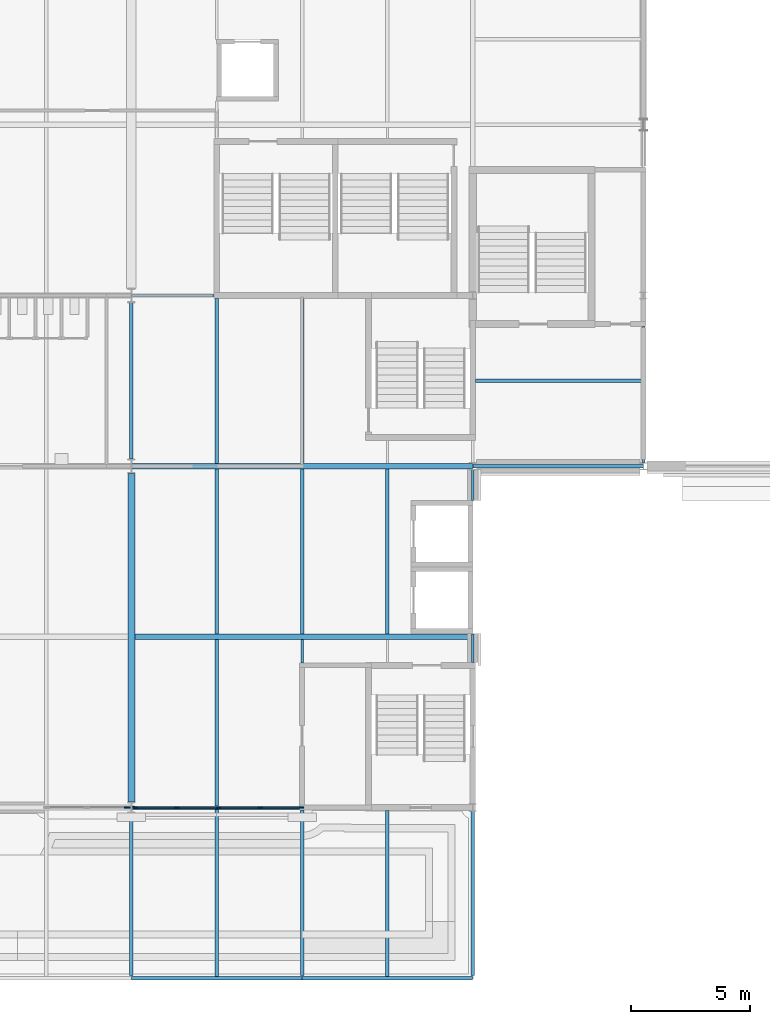
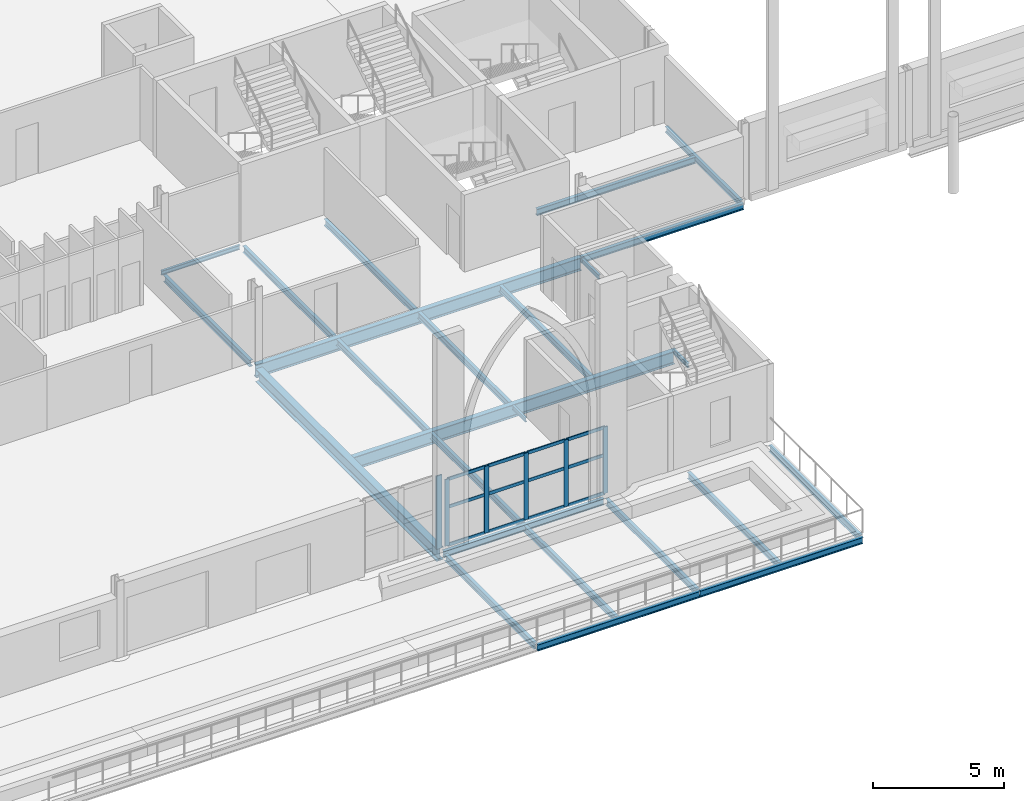
# One storey, part 43 of 143: 25 beams, 18 members, 2 elements without a shape of their own.
"""IFC4 building model written with IfcOpenShell, lengths in metres."""

from ifc_helpers import new_model, si_unit, direction, frame, origin, origin_2d, place, context, subcontext, project, spatial, rectangle, i_section, extrude, material, material_profile, profile_set, type_object, element, aggregate, save


model = new_model("IFC4")

# Units and contexts
model_context = context("Model", 3, precision=1e-05, world=origin(), true_north=direction((0.0, 1.0)))
body_context = subcontext(model_context, "Body", "Model", "MODEL_VIEW")
ifc_project = project(units=[si_unit("LENGTHUNIT", "METRE"), si_unit("AREAUNIT", "SQUARE_METRE"), si_unit("VOLUMEUNIT", "CUBIC_METRE"), si_unit("PLANEANGLEUNIT", "RADIAN"), si_unit("MASSUNIT", "GRAM", prefix="KILO")], contexts=[model_context])

# Site, building, storey
site_placement = place(None, origin())
site = spatial("IfcSite", under=ifc_project, at=site_placement, CompositionType="ELEMENT")
building_placement = place(site_placement, origin())
building = spatial("IfcBuilding", under=site, at=building_placement, Name="Kupolbacken Congress Centre", CompositionType="ELEMENT")
storey_placement = place(building_placement, frame((0.0, 0.0, 7.199951171875)))
storey = spatial("IfcBuildingStorey", under=building, at=storey_placement, Name="L02", CompositionType="ELEMENT", Elevation=7.199951171875)

# Beams
ifc_material_1 = material(Name="Steel S355", Category="steel")
ifc_material_profile_1 = material_profile(ifc_material_1, i_section(OverallWidth=0.10009765625, OverallDepth=0.199951171875, WebThickness=0.005615234375, FlangeThickness=0.008544921875, FilletRadius=0.011962890625, at=origin_2d()), Name="IPE 200")
ifc_profile_set_1 = profile_set([ifc_material_profile_1], Name="Steel S355")
beam_type_1 = type_object("IfcBeamType", Name="B01 beam IPE 200", PredefinedType="BEAM", material=ifc_profile_set_1)
beam_1_placement = place(storey_placement, frame((79.199951171875, 34.925048828125, -0.280029296875), z_axis=(0.0, 1.0, 0.0), x_axis=(-1.0, 0.0, 0.0)))
element("IfcBeam", 1, at=beam_1_placement, inside=storey, type_object=beam_type_1, Name="S/floor/F/L02/G018", PredefinedType="BEAM", context=body_context, shape_type="SweptSolid", body=[
    extrude(i_section(OverallWidth=0.10009765625, OverallDepth=0.199951171875, WebThickness=0.005615234375, FlangeThickness=0.008544921875, FilletRadius=0.011962890625, at=origin_2d()), origin(), (0.0, 0.0, 1.0), 1.184814453125),
])
beam_2_placement = place(storey_placement, frame((79.199951171875, 41.75, -0.280029296875), z_axis=(0.0, 1.0, 0.0), x_axis=(-1.0, 0.0, 0.0)))
element("IfcBeam", 2, at=beam_2_placement, inside=storey, type_object=beam_type_1, Name="S/floor/F/L02/G019", PredefinedType="BEAM", context=body_context, shape_type="SweptSolid", body=[
    extrude(i_section(OverallWidth=0.10009765625, OverallDepth=0.199951171875, WebThickness=0.005615234375, FlangeThickness=0.008544921875, FilletRadius=0.011962890625, at=origin_2d()), origin(), (0.0, 0.0, 1.0), 1.300048828125),
])
beam_3_placement = place(storey_placement, frame((64.807861328125, 50.39990234375, -0.280029296875), z_axis=(1.0, 0.0, 0.0), x_axis=(0.0, 1.0, 0.0)))
element("IfcBeam", 3, at=beam_3_placement, inside=storey, type_object=beam_type_1, Name="S/floor/F/L02/R035", PredefinedType="BEAM", context=body_context, shape_type="SweptSolid", body=[
    extrude(i_section(OverallWidth=0.10009765625, OverallDepth=0.199951171875, WebThickness=0.005615234375, FlangeThickness=0.008544921875, FilletRadius=0.011962890625, at=origin_2d()), origin(), (0.0, 0.0, 1.0), 3.467041015625),
])
beam_4_placement = place(storey_placement, frame((72.0, 34.89990234375, -0.280029296875), z_axis=(0.0, 1.0, 0.0), x_axis=(-1.0, 0.0, 0.0)))
element("IfcBeam", 4, at=beam_4_placement, inside=storey, type_object=beam_type_1, Name="S/floor/F/L02/S108", PredefinedType="BEAM", context=body_context, shape_type="SweptSolid", body=[
    extrude(i_section(OverallWidth=0.10009765625, OverallDepth=0.199951171875, WebThickness=0.005615234375, FlangeThickness=0.008544921875, FilletRadius=0.011962890625, at=origin_2d()), origin(), (0.0, 0.0, 1.0), 0.989990234375),
])
ifc_material_2 = material(Name="Steel S355", Category="steel")
ifc_material_profile_2 = material_profile(ifc_material_2, i_section(OverallWidth=0.135009765625, OverallDepth=0.27001953125, WebThickness=0.006591796875, FlangeThickness=0.01025390625, FilletRadius=0.014892578125, at=origin_2d()), Name="IPE 270")
ifc_profile_set_2 = profile_set([ifc_material_profile_2], Name="Steel S355")
beam_type_2 = type_object("IfcBeamType", Name="B03 beam IPE 270", PredefinedType="BEAM", material=ifc_profile_set_2)
beam_5_placement = place(storey_placement, frame((86.39990234375, 43.344970703125, -0.31494140625), z_axis=(0.0, 1.0, 0.0), x_axis=(-1.0, 0.0, 0.0)))
element("IfcBeam", 5, at=beam_5_placement, inside=storey, type_object=beam_type_2, Name="S/floor/LINK/L02/E001", PredefinedType="BEAM", context=body_context, shape_type="SweptSolid", body=[
    extrude(i_section(OverallWidth=0.135009765625, OverallDepth=0.27001953125, WebThickness=0.006591796875, FlangeThickness=0.01025390625, FilletRadius=0.014892578125, at=origin_2d()), origin(), (0.0, 0.0, 1.0), 5.755126953125),
])
ifc_material_3 = material(Name="Steel S355", Category="steel")
ifc_material_profile_3 = material_profile(ifc_material_3, i_section(OverallWidth=0.14990234375, OverallDepth=0.300048828125, WebThickness=0.007080078125, FlangeThickness=0.0107421875, FilletRadius=0.014892578125, at=origin_2d()), Name="IPE 300")
ifc_profile_set_3 = profile_set([ifc_material_profile_3], Name="Steel S355")
beam_type_3 = type_object("IfcBeamType", Name="B04 beam IPE 300", PredefinedType="BEAM", material=ifc_profile_set_3)
beam_6_placement = place(storey_placement, frame((64.800048828125, 21.715087890625, -0.329833984375), z_axis=(0.0, 1.0, 0.0), x_axis=(-1.0, 0.0, 0.0)))
element("IfcBeam", 6, at=beam_6_placement, inside=storey, type_object=beam_type_3, Name="S/floor/F/L02/G014", PredefinedType="BEAM", context=body_context, shape_type="SweptSolid", body=[
    extrude(i_section(OverallWidth=0.14990234375, OverallDepth=0.300048828125, WebThickness=0.007080078125, FlangeThickness=0.0107421875, FilletRadius=0.014892578125, at=origin_2d()), origin(), (0.0, 0.0, 1.0), 6.85986328125),
])
beam_7_placement = place(storey_placement, frame((64.800048828125, 43.5, -0.329833984375), z_axis=(0.0, 1.0, 0.0), x_axis=(-1.0, 0.0, 0.0)))
element("IfcBeam", 7, at=beam_7_placement, inside=storey, type_object=beam_type_3, Name="S/floor/F/L02/G016", PredefinedType="BEAM", context=body_context, shape_type="SweptSolid", body=[
    extrude(i_section(OverallWidth=0.14990234375, OverallDepth=0.300048828125, WebThickness=0.007080078125, FlangeThickness=0.0107421875, FilletRadius=0.014892578125, at=origin_2d()), origin(), (0.0, 0.0, 1.0), 6.60009765625),
])
beam_8_placement = place(storey_placement, frame((79.199951171875, 21.715087890625, -0.329833984375), z_axis=(0.0, 1.0, 0.0), x_axis=(-1.0, 0.0, 0.0)))
element("IfcBeam", 8, at=beam_8_placement, inside=storey, type_object=beam_type_3, Name="S/floor/F/L02/G017", PredefinedType="BEAM", context=body_context, shape_type="SweptSolid", body=[
    extrude(i_section(OverallWidth=0.14990234375, OverallDepth=0.300048828125, WebThickness=0.007080078125, FlangeThickness=0.0107421875, FilletRadius=0.014892578125, at=origin_2d()), origin(), (0.0, 0.0, 1.0), 6.9599609375),
])
beam_9_placement = place(storey_placement, frame((64.806884765625, 28.800048828125, -0.329833984375), z_axis=(1.0, 0.0, 0.0), x_axis=(0.0, 1.0, 0.0)))
element("IfcBeam", 9, at=beam_9_placement, inside=storey, type_object=beam_type_3, Name="S/floor/F/L02/R025", PredefinedType="BEAM", context=body_context, shape_type="SweptSolid", body=[
    extrude(i_section(OverallWidth=0.14990234375, OverallDepth=0.300048828125, WebThickness=0.007080078125, FlangeThickness=0.0107421875, FilletRadius=0.014892578125, at=origin_2d()), origin(), (0.0, 0.0, 1.0), 7.093017578125),
])
for number, where, z_axis, x_axis, name in (
    (10, (64.8037109375, 21.60009765625, -0.329833984375), (1.0, 0.0, 0.0), (0.0, 1.0, 0.0), "S/floor/F/L02/R044"),
    (11, (72.003662109375, 21.60009765625, -0.329833984375), (1.0, 0.0, 0.0), (0.0, 1.0, 0.0), "S/floor/F/L02/R045"),
):
    element("IfcBeam", number, at=place(storey_placement, frame(where, z_axis=z_axis, x_axis=x_axis)), inside=storey, type_object=beam_type_3, Name=name, PredefinedType="BEAM", context=body_context, shape_type="SweptSolid", body=[
        extrude(i_section(OverallWidth=0.14990234375, OverallDepth=0.300048828125, WebThickness=0.007080078125, FlangeThickness=0.0107421875, FilletRadius=0.014892578125, at=origin_2d()), origin(), (0.0, 0.0, 1.0), 7.192626953125),
    ])
beam_10_placement = place(storey_placement, frame((68.39990234375, 21.675048828125, -0.329833984375), z_axis=(0.0, 1.0, 0.0), x_axis=(-1.0, 0.0, 0.0)))
element("IfcBeam", 12, at=beam_10_placement, inside=storey, type_object=beam_type_3, Name="S/floor/F/L02/S103", PredefinedType="BEAM", context=body_context, shape_type="SweptSolid", body=[
    extrude(i_section(OverallWidth=0.14990234375, OverallDepth=0.300048828125, WebThickness=0.007080078125, FlangeThickness=0.0107421875, FilletRadius=0.014892578125, at=origin_2d()), origin(), (0.0, 0.0, 1.0), 7.050048828125),
])
beam_11_placement = place(storey_placement, frame((68.39990234375, 28.875, -0.329833984375), z_axis=(0.0, 1.0, 0.0), x_axis=(-1.0, 0.0, 0.0)))
element("IfcBeam", 13, at=beam_11_placement, inside=storey, type_object=beam_type_3, Name="S/floor/F/L02/S104", PredefinedType="BEAM", context=body_context, shape_type="SweptSolid", body=[
    extrude(i_section(OverallWidth=0.14990234375, OverallDepth=0.300048828125, WebThickness=0.007080078125, FlangeThickness=0.0107421875, FilletRadius=0.014892578125, at=origin_2d()), origin(), (0.0, 0.0, 1.0), 7.014892578125),
])
beam_12_placement = place(storey_placement, frame((68.39990234375, 36.110107421875, -0.329833984375), z_axis=(0.0, 1.0, 0.0), x_axis=(-1.0, 0.0, 0.0)))
element("IfcBeam", 14, at=beam_12_placement, inside=storey, type_object=beam_type_3, Name="S/floor/F/L02/S105", PredefinedType="BEAM", context=body_context, shape_type="SweptSolid", body=[
    extrude(i_section(OverallWidth=0.14990234375, OverallDepth=0.300048828125, WebThickness=0.007080078125, FlangeThickness=0.0107421875, FilletRadius=0.014892578125, at=origin_2d()), origin(), (0.0, 0.0, 1.0), 6.97998046875),
])
beam_13_placement = place(storey_placement, frame((68.39990234375, 43.31005859375, -0.329833984375), z_axis=(0.0, 1.0, 0.0), x_axis=(-1.0, 0.0, 0.0)))
element("IfcBeam", 15, at=beam_13_placement, inside=storey, type_object=beam_type_3, Name="S/floor/F/L02/S106", PredefinedType="BEAM", context=body_context, shape_type="SweptSolid", body=[
    extrude(i_section(OverallWidth=0.14990234375, OverallDepth=0.300048828125, WebThickness=0.007080078125, FlangeThickness=0.0107421875, FilletRadius=0.014892578125, at=origin_2d()), origin(), (0.0, 0.0, 1.0), 6.96484375),
])
beam_14_placement = place(storey_placement, frame((72.0, 21.715087890625, -0.329833984375), z_axis=(0.0, 1.0, 0.0), x_axis=(-1.0, 0.0, 0.0)))
element("IfcBeam", 16, at=beam_14_placement, inside=storey, type_object=beam_type_3, Name="S/floor/F/L02/S107", PredefinedType="BEAM", context=body_context, shape_type="SweptSolid", body=[
    extrude(i_section(OverallWidth=0.14990234375, OverallDepth=0.300048828125, WebThickness=0.007080078125, FlangeThickness=0.0107421875, FilletRadius=0.014892578125, at=origin_2d()), origin(), (0.0, 0.0, 1.0), 6.98486328125),
])
beam_15_placement = place(storey_placement, frame((72.0, 36.110107421875, -0.329833984375), z_axis=(0.0, 1.0, 0.0), x_axis=(-1.0, 0.0, 0.0)))
element("IfcBeam", 17, at=beam_15_placement, inside=storey, type_object=beam_type_3, Name="S/floor/F/L02/S109", PredefinedType="BEAM", context=body_context, shape_type="SweptSolid", body=[
    extrude(i_section(OverallWidth=0.14990234375, OverallDepth=0.300048828125, WebThickness=0.007080078125, FlangeThickness=0.0107421875, FilletRadius=0.014892578125, at=origin_2d()), origin(), (0.0, 0.0, 1.0), 6.97998046875),
])
beam_16_placement = place(storey_placement, frame((72.0, 43.31005859375, -0.329833984375), z_axis=(0.0, 1.0, 0.0), x_axis=(-1.0, 0.0, 0.0)))
element("IfcBeam", 18, at=beam_16_placement, inside=storey, type_object=beam_type_3, Name="S/floor/F/L02/S110", PredefinedType="BEAM", context=body_context, shape_type="SweptSolid", body=[
    extrude(i_section(OverallWidth=0.14990234375, OverallDepth=0.300048828125, WebThickness=0.007080078125, FlangeThickness=0.0107421875, FilletRadius=0.014892578125, at=origin_2d()), origin(), (0.0, 0.0, 1.0), 6.96484375),
])
beam_17_placement = place(storey_placement, frame((75.60009765625, 21.675048828125, -0.329833984375), z_axis=(0.0, 1.0, 0.0), x_axis=(-1.0, 0.0, 0.0)))
element("IfcBeam", 19, at=beam_17_placement, inside=storey, type_object=beam_type_3, Name="S/floor/F/L02/S111", PredefinedType="BEAM", context=body_context, shape_type="SweptSolid", body=[
    extrude(i_section(OverallWidth=0.14990234375, OverallDepth=0.300048828125, WebThickness=0.007080078125, FlangeThickness=0.0107421875, FilletRadius=0.014892578125, at=origin_2d()), origin(), (0.0, 0.0, 1.0), 7.0),
])
beam_18_placement = place(storey_placement, frame((75.60009765625, 36.110107421875, -0.329833984375), z_axis=(0.0, 1.0, 0.0), x_axis=(-1.0, 0.0, 0.0)))
element("IfcBeam", 20, at=beam_18_placement, inside=storey, type_object=beam_type_3, Name="S/floor/F/L02/S113", PredefinedType="BEAM", context=body_context, shape_type="SweptSolid", body=[
    extrude(i_section(OverallWidth=0.14990234375, OverallDepth=0.300048828125, WebThickness=0.007080078125, FlangeThickness=0.0107421875, FilletRadius=0.014892578125, at=origin_2d()), origin(), (0.0, 0.0, 1.0), 6.97998046875),
])
beam_19_placement = place(storey_placement, frame((79.20556640625, 43.199951171875, -0.329833984375), z_axis=(1.0, 0.0, 0.0), x_axis=(0.0, 1.0, 0.0)))
element("IfcBeam", 21, at=beam_19_placement, inside=storey, type_object=beam_type_3, Name="S/floor/LINK/L02/R010", PredefinedType="BEAM", context=body_context, shape_type="SweptSolid", body=[
    extrude(i_section(OverallWidth=0.14990234375, OverallDepth=0.300048828125, WebThickness=0.007080078125, FlangeThickness=0.0107421875, FilletRadius=0.014892578125, at=origin_2d()), origin(), (0.0, 0.0, 1.0), 7.190185546875),
])
beam_20_placement = place(storey_placement, frame((79.324951171875, 46.800048828125, -0.329833984375), z_axis=(1.0, 0.0, 0.0), x_axis=(0.0, 1.0, 0.0)))
element("IfcBeam", 22, at=beam_20_placement, inside=storey, type_object=beam_type_3, Name="S/floor/LINK/L02/R011", PredefinedType="BEAM", context=body_context, shape_type="SweptSolid", body=[
    extrude(i_section(OverallWidth=0.14990234375, OverallDepth=0.300048828125, WebThickness=0.007080078125, FlangeThickness=0.0107421875, FilletRadius=0.014892578125, at=origin_2d()), origin(), (0.0, 0.0, 1.0), 7.007568359375),
])
ifc_material_4 = material(Name="Steel S355", Category="steel")
ifc_material_profile_4 = material_profile(ifc_material_4, i_section(OverallWidth=0.219970703125, OverallDepth=0.60009765625, WebThickness=0.011962890625, FlangeThickness=0.01904296875, FilletRadius=0.02392578125, at=origin_2d()), Name="IPE 600")
ifc_profile_set_4 = profile_set([ifc_material_profile_4], Name="Steel S355")
beam_type_4 = type_object("IfcBeamType", Name="B11 beam IPE 600", PredefinedType="BEAM", material=ifc_profile_set_4)
beam_21_placement = place(storey_placement, frame((64.807861328125, 43.199951171875, -0.47998046875), z_axis=(1.0, 0.0, 0.0), x_axis=(0.0, 1.0, 0.0)))
element("IfcBeam", 23, at=beam_21_placement, inside=storey, type_object=beam_type_4, Name="S/floor/F/L02/R030", PredefinedType="BEAM", context=body_context, shape_type="SweptSolid", body=[
    extrude(i_section(OverallWidth=0.219970703125, OverallDepth=0.60009765625, WebThickness=0.011962890625, FlangeThickness=0.01904296875, FilletRadius=0.02392578125, at=origin_2d()), origin(), (0.0, 0.0, 1.0), 14.38671875),
])
beam_22_placement = place(storey_placement, frame((64.949951171875, 36.0, -0.47998046875), z_axis=(1.0, 0.0, 0.0), x_axis=(0.0, 1.0, 0.0)))
element("IfcBeam", 24, at=beam_22_placement, inside=storey, type_object=beam_type_4, Name="S/floor/F/L02/R055", PredefinedType="BEAM", context=body_context, shape_type="SweptSolid", body=[
    extrude(i_section(OverallWidth=0.219970703125, OverallDepth=0.60009765625, WebThickness=0.011962890625, FlangeThickness=0.01904296875, FilletRadius=0.02392578125, at=origin_2d()), origin(), (0.0, 0.0, 1.0), 14.199951171875),
])
ifc_material_5 = material(Name="Steel S355", Category="steel")
ifc_material_profile_5 = material_profile(ifc_material_5, i_section(OverallWidth=0.300048828125, OverallDepth=0.60009765625, WebThickness=0.015380859375, FlangeThickness=0.030029296875, FilletRadius=0.027099609375, at=origin_2d()), Name="HEB 600")
ifc_profile_set_5 = profile_set([ifc_material_profile_5], Name="Steel S355")
beam_type_5 = type_object("IfcBeamType", Name="B15 beam HEB 600", PredefinedType="BEAM", material=ifc_profile_set_5)
beam_23_placement = place(storey_placement, frame((64.800048828125, 29.02490234375, -0.47998046875), z_axis=(0.0, 1.0, 0.0), x_axis=(-1.0, 0.0, 0.0)))
element("IfcBeam", 25, at=beam_23_placement, inside=storey, type_object=beam_type_5, Name="S/floor/F/L02/G015", PredefinedType="BEAM", context=body_context, shape_type="SweptSolid", body=[
    extrude(i_section(OverallWidth=0.300048828125, OverallDepth=0.60009765625, WebThickness=0.015380859375, FlangeThickness=0.030029296875, FilletRadius=0.027099609375, at=origin_2d()), origin(), (0.0, 0.0, 1.0), 13.875),
])

# Curtain wall, members
ifc_material_6 = material(Name="Aluminium mullion-transom frame with glass", Category="aluminium")
curtain_wall_type_1 = type_object("IfcCurtainWallType", Name="CW1 curtain wall 7200x3600", PredefinedType="NOTDEFINED", material=ifc_material_6)
curtain_wall_1_placement = place(storey_placement, origin())
curtain_wall_1 = element("IfcCurtainWall", 26, at=curtain_wall_1_placement, inside=storey, type_object=curtain_wall_type_1, Name="E/F/S/L02/238", PredefinedType="NOTDEFINED")
ifc_material_7 = material(Name="Aluminium alloy", Category="aluminium")
ifc_material_profile_6 = material_profile(ifc_material_7, rectangle(XDim=0.050048828125, YDim=0.199951171875, at=origin_2d()), Name="50 x 200")
ifc_profile_set_6 = profile_set([ifc_material_profile_6], Name="Aluminium alloy")
member_type_1 = type_object("IfcMemberType", Name="MU2 mullion 50x200", PredefinedType="MULLION", material=ifc_profile_set_6)
member_1_placement = place(storey_placement, frame((64.97509765625, 28.800048828125, 0.0), z_axis=(0.0, 0.0, 1.0), x_axis=(0.0, 1.0, 0.0)))
member_1 = element("IfcMember", 27, at=member_1_placement, type_object=member_type_1, Name="CW1 mullion 1", PredefinedType="MULLION", context=body_context, shape_type="SweptSolid", body=[
    extrude(rectangle(XDim=0.050048828125, YDim=0.199951171875, at=origin_2d()), origin(), (0.0, 0.0, 1.0), 3.1201171875),
])
member_2_placement = place(storey_placement, frame((66.71240234375, 28.800048828125, 0.0), z_axis=(0.0, 0.0, 1.0), x_axis=(0.0, 1.0, 0.0)))
member_2 = element("IfcMember", 28, at=member_2_placement, type_object=member_type_1, Name="CW1 mullion 2", PredefinedType="MULLION", context=body_context, shape_type="SweptSolid", body=[
    extrude(rectangle(XDim=0.050048828125, YDim=0.199951171875, at=origin_2d()), origin(), (0.0, 0.0, 1.0), 3.1201171875),
])
member_3_placement = place(storey_placement, frame((68.47509765625, 28.800048828125, 0.0), z_axis=(0.0, 0.0, 1.0), x_axis=(0.0, 1.0, 0.0)))
member_3 = element("IfcMember", 29, at=member_3_placement, type_object=member_type_1, Name="CW1 mullion 3", PredefinedType="MULLION", context=body_context, shape_type="SweptSolid", body=[
    extrude(rectangle(XDim=0.050048828125, YDim=0.199951171875, at=origin_2d()), origin(), (0.0, 0.0, 1.0), 3.1201171875),
])
member_4_placement = place(storey_placement, frame((70.237548828125, 28.800048828125, 0.0), z_axis=(0.0, 0.0, 1.0), x_axis=(0.0, 1.0, 0.0)))
member_4 = element("IfcMember", 30, at=member_4_placement, type_object=member_type_1, Name="CW1 mullion 4", PredefinedType="MULLION", context=body_context, shape_type="SweptSolid", body=[
    extrude(rectangle(XDim=0.050048828125, YDim=0.199951171875, at=origin_2d()), origin(), (0.0, 0.0, 1.0), 3.1201171875),
])
member_5_placement = place(storey_placement, frame((71.97509765625, 28.800048828125, 0.0), z_axis=(0.0, 0.0, 1.0), x_axis=(0.0, 1.0, 0.0)))
member_5 = element("IfcMember", 31, at=member_5_placement, type_object=member_type_1, Name="CW1 mullion 5", PredefinedType="MULLION", context=body_context, shape_type="SweptSolid", body=[
    extrude(rectangle(XDim=0.050048828125, YDim=0.199951171875, at=origin_2d()), origin(), (0.0, 0.0, 1.0), 3.1201171875),
])

# Curtain wall, member
ifc_material_8 = material(Name="Aluminium mullion-transom frame with glass", Category="aluminium")
curtain_wall_type_2 = type_object("IfcCurtainWallType", Name="CW2 curtain wall 3600x3600", PredefinedType="NOTDEFINED", material=ifc_material_8)
curtain_wall_2_placement = place(storey_placement, origin())
curtain_wall_2 = element("IfcCurtainWall", 32, at=curtain_wall_2_placement, inside=storey, type_object=curtain_wall_type_2, Name="E/F/S/L02/237", PredefinedType="NOTDEFINED")
ifc_material_9 = material(Name="Aluminium alloy", Category="aluminium")
ifc_material_profile_7 = material_profile(ifc_material_9, rectangle(XDim=0.06005859375, YDim=0.25, at=origin_2d()), Name="60 x 250")
ifc_profile_set_7 = profile_set([ifc_material_profile_7], Name="Aluminium alloy")
member_type_2 = type_object("IfcMemberType", Name="MU3 mullion 60x250", PredefinedType="MULLION", material=ifc_profile_set_7)
member_6_placement = place(storey_placement, frame((64.6201171875, 28.800048828125, 0.0), z_axis=(0.0, 0.0, 1.0), x_axis=(0.0, 1.0, 0.0)))
member_6 = element("IfcMember", 33, at=member_6_placement, type_object=member_type_2, Name="CW2 mullion 3", PredefinedType="MULLION", context=body_context, shape_type="SweptSolid", body=[
    extrude(rectangle(XDim=0.06005859375, YDim=0.25, at=origin_2d()), origin(), (0.0, 0.0, 1.0), 3.420166015625),
])
aggregate(curtain_wall_2, [member_6])

# Member
ifc_material_10 = material(Name="Aluminium alloy", Category="aluminium")
ifc_material_profile_8 = material_profile(ifc_material_10, rectangle(XDim=0.050048828125, YDim=0.14990234375, at=origin_2d()), Name="50 x 150")
ifc_profile_set_8 = profile_set([ifc_material_profile_8], Name="Aluminium alloy")
member_type_3 = type_object("IfcMemberType", Name="TR2 transom 50x150", PredefinedType="MULLION", material=ifc_profile_set_8)
member_7_placement = place(storey_placement, frame((65.0, 28.800048828125, 0.025146484375), z_axis=(1.0, 0.0, 0.0), x_axis=(0.0, 1.0, 0.0)))
member_7 = element("IfcMember", 34, at=member_7_placement, type_object=member_type_3, Name="CW1 transom 1.1", PredefinedType="MULLION", context=body_context, shape_type="SweptSolid", body=[
    extrude(rectangle(XDim=0.050048828125, YDim=0.14990234375, at=origin_2d()), origin(), (0.0, 0.0, 1.0), 1.6875),
])

member_8_placement = place(storey_placement, frame((65.0, 28.800048828125, 1.800048828125), z_axis=(1.0, 0.0, 0.0), x_axis=(0.0, 1.0, 0.0)))
member_8 = element("IfcMember", 35, at=member_8_placement, type_object=member_type_3, Name="CW1 transom 1.2", PredefinedType="MULLION", context=body_context, shape_type="SweptSolid", body=[
    extrude(rectangle(XDim=0.050048828125, YDim=0.14990234375, at=origin_2d()), origin(), (0.0, 0.0, 1.0), 1.6875),
])

member_9_placement = place(storey_placement, frame((65.0, 28.800048828125, 3.094970703125), z_axis=(1.0, 0.0, 0.0), x_axis=(0.0, 1.0, 0.0)))
member_9 = element("IfcMember", 36, at=member_9_placement, type_object=member_type_3, Name="CW1 transom 1.3", PredefinedType="MULLION", context=body_context, shape_type="SweptSolid", body=[
    extrude(rectangle(XDim=0.050048828125, YDim=0.14990234375, at=origin_2d()), origin(), (0.0, 0.0, 1.0), 1.6875),
])

member_10_placement = place(storey_placement, frame((66.737548828125, 28.800048828125, 0.025146484375), z_axis=(1.0, 0.0, 0.0), x_axis=(0.0, 1.0, 0.0)))
member_10 = element("IfcMember", 37, at=member_10_placement, type_object=member_type_3, Name="CW1 transom 2.1", PredefinedType="MULLION", context=body_context, shape_type="SweptSolid", body=[
    extrude(rectangle(XDim=0.050048828125, YDim=0.14990234375, at=origin_2d()), origin(), (0.0, 0.0, 1.0), 1.71240234375),
])

member_11_placement = place(storey_placement, frame((66.737548828125, 28.800048828125, 1.800048828125), z_axis=(1.0, 0.0, 0.0), x_axis=(0.0, 1.0, 0.0)))
member_11 = element("IfcMember", 38, at=member_11_placement, type_object=member_type_3, Name="CW1 transom 2.2", PredefinedType="MULLION", context=body_context, shape_type="SweptSolid", body=[
    extrude(rectangle(XDim=0.050048828125, YDim=0.14990234375, at=origin_2d()), origin(), (0.0, 0.0, 1.0), 1.71240234375),
])

member_12_placement = place(storey_placement, frame((66.737548828125, 28.800048828125, 3.094970703125), z_axis=(1.0, 0.0, 0.0), x_axis=(0.0, 1.0, 0.0)))
member_12 = element("IfcMember", 39, at=member_12_placement, type_object=member_type_3, Name="CW1 transom 2.3", PredefinedType="MULLION", context=body_context, shape_type="SweptSolid", body=[
    extrude(rectangle(XDim=0.050048828125, YDim=0.14990234375, at=origin_2d()), origin(), (0.0, 0.0, 1.0), 1.71240234375),
])

member_13_placement = place(storey_placement, frame((68.5, 28.800048828125, 0.025146484375), z_axis=(1.0, 0.0, 0.0), x_axis=(0.0, 1.0, 0.0)))
member_13 = element("IfcMember", 40, at=member_13_placement, type_object=member_type_3, Name="CW1 transom 3.1", PredefinedType="MULLION", context=body_context, shape_type="SweptSolid", body=[
    extrude(rectangle(XDim=0.050048828125, YDim=0.14990234375, at=origin_2d()), origin(), (0.0, 0.0, 1.0), 1.71240234375),
])

member_14_placement = place(storey_placement, frame((68.5, 28.800048828125, 1.800048828125), z_axis=(1.0, 0.0, 0.0), x_axis=(0.0, 1.0, 0.0)))
member_14 = element("IfcMember", 41, at=member_14_placement, type_object=member_type_3, Name="CW1 transom 3.2", PredefinedType="MULLION", context=body_context, shape_type="SweptSolid", body=[
    extrude(rectangle(XDim=0.050048828125, YDim=0.14990234375, at=origin_2d()), origin(), (0.0, 0.0, 1.0), 1.71240234375),
])

member_15_placement = place(storey_placement, frame((68.5, 28.800048828125, 3.094970703125), z_axis=(1.0, 0.0, 0.0), x_axis=(0.0, 1.0, 0.0)))
member_15 = element("IfcMember", 42, at=member_15_placement, type_object=member_type_3, Name="CW1 transom 3.3", PredefinedType="MULLION", context=body_context, shape_type="SweptSolid", body=[
    extrude(rectangle(XDim=0.050048828125, YDim=0.14990234375, at=origin_2d()), origin(), (0.0, 0.0, 1.0), 1.71240234375),
])

member_16_placement = place(storey_placement, frame((70.262451171875, 28.800048828125, 0.025146484375), z_axis=(1.0, 0.0, 0.0), x_axis=(0.0, 1.0, 0.0)))
member_16 = element("IfcMember", 43, at=member_16_placement, type_object=member_type_3, Name="CW1 transom 4.1", PredefinedType="MULLION", context=body_context, shape_type="SweptSolid", body=[
    extrude(rectangle(XDim=0.050048828125, YDim=0.14990234375, at=origin_2d()), origin(), (0.0, 0.0, 1.0), 1.6875),
])

member_17_placement = place(storey_placement, frame((70.262451171875, 28.800048828125, 1.800048828125), z_axis=(1.0, 0.0, 0.0), x_axis=(0.0, 1.0, 0.0)))
member_17 = element("IfcMember", 44, at=member_17_placement, type_object=member_type_3, Name="CW1 transom 4.2", PredefinedType="MULLION", context=body_context, shape_type="SweptSolid", body=[
    extrude(rectangle(XDim=0.050048828125, YDim=0.14990234375, at=origin_2d()), origin(), (0.0, 0.0, 1.0), 1.6875),
])

member_18_placement = place(storey_placement, frame((70.262451171875, 28.800048828125, 3.094970703125), z_axis=(1.0, 0.0, 0.0), x_axis=(0.0, 1.0, 0.0)))
member_18 = element("IfcMember", 45, at=member_18_placement, type_object=member_type_3, Name="CW1 transom 4.3", PredefinedType="MULLION", context=body_context, shape_type="SweptSolid", body=[
    extrude(rectangle(XDim=0.050048828125, YDim=0.14990234375, at=origin_2d()), origin(), (0.0, 0.0, 1.0), 1.6875),
])

aggregate(curtain_wall_1, [member_1, member_2, member_3, member_4, member_5, member_7, member_8, member_9, member_10, member_11, member_12, member_13, member_14, member_15, member_16, member_17, member_18])

save(model, "model.ifc")
